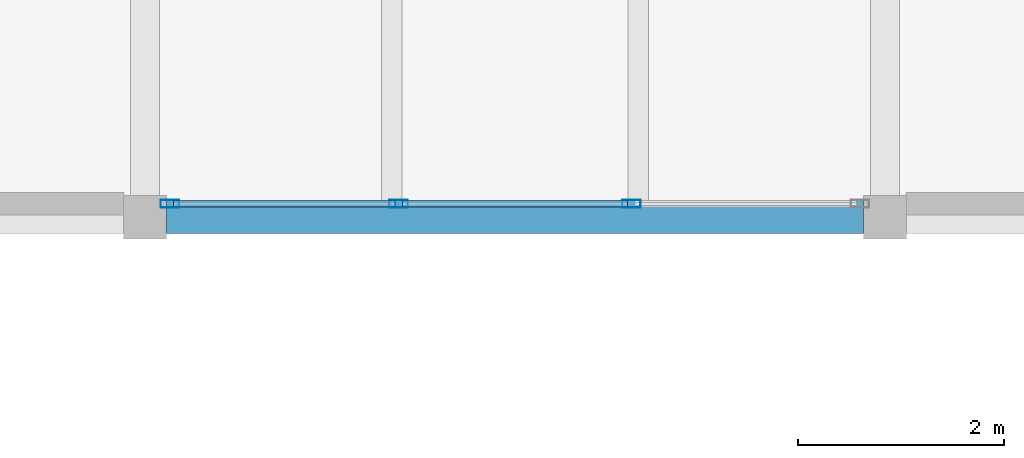
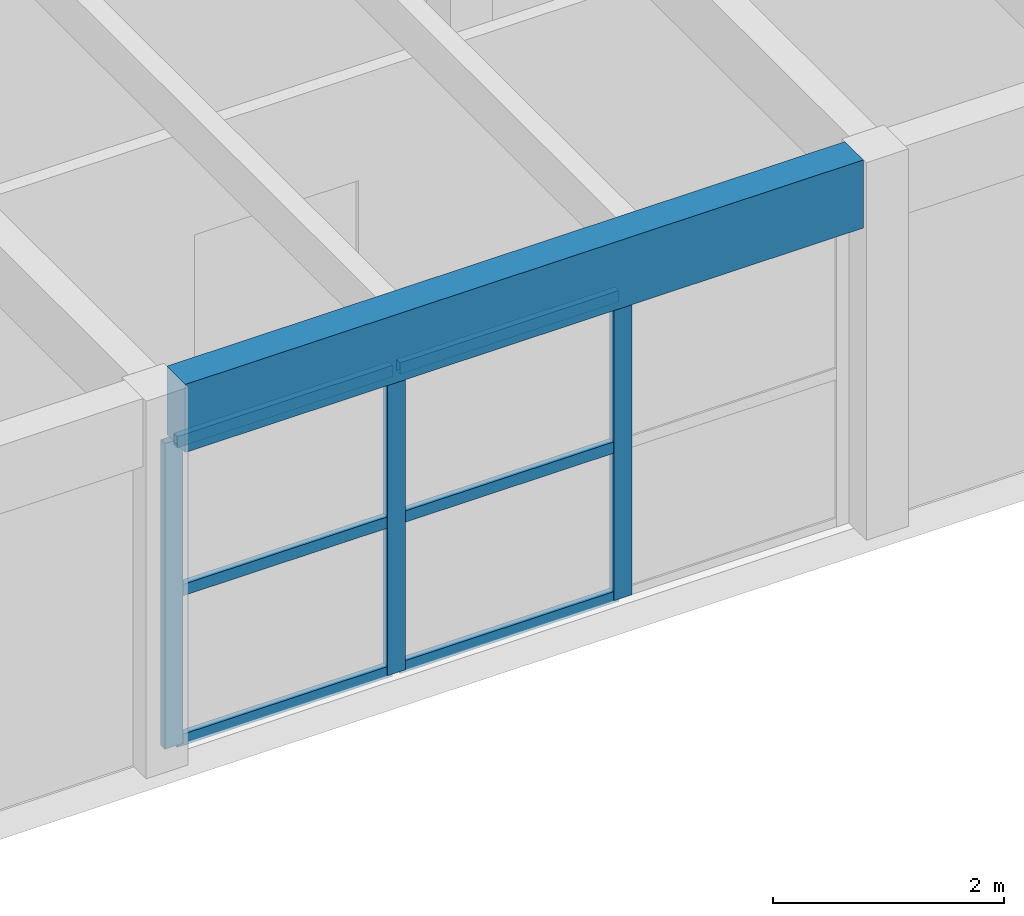
# One storey, part 21 of 68: 9 members, 1 beam, 1 element without a shape of its own.
"""IFC4 building model written with IfcOpenShell, lengths in metres."""

from ifc_helpers import new_model, si_unit, direction, frame, origin, origin_2d, place, context, subcontext, project, spatial, rectangle, hollow_rectangle, extrude, material, material_profile, profile_set, type_object, element, aggregate, save


model = new_model("IFC4")

# Units and contexts
model_context = context("Model", 3, precision=1e-05, world=origin(), true_north=direction((0.0, 1.0)))
body_context = subcontext(model_context, "Body", "Model", "MODEL_VIEW")
ifc_project = project(units=[si_unit("LENGTHUNIT", "METRE"), si_unit("AREAUNIT", "SQUARE_METRE"), si_unit("VOLUMEUNIT", "CUBIC_METRE"), si_unit("PLANEANGLEUNIT", "RADIAN"), si_unit("MASSUNIT", "GRAM", prefix="KILO")], contexts=[model_context])

# Site, building, storey
site_placement = place(None, origin())
site = spatial("IfcSite", under=ifc_project, at=site_placement, CompositionType="ELEMENT")
building_placement = place(site_placement, origin())
building = spatial("IfcBuilding", under=site, at=building_placement, Name="Bramvelor Terrace Health Centre", CompositionType="ELEMENT")
storey_placement = place(building_placement, frame((0.0, 0.0, 9.300048828125)))
storey = spatial("IfcBuildingStorey", under=building, at=storey_placement, Name="L03", CompositionType="ELEMENT", Elevation=9.300048828125)

# Beam
ifc_material_1 = material(Name="Glulam GL28h", Category="wood")
ifc_material_profile_1 = material_profile(ifc_material_1, rectangle(XDim=0.320068359375, YDim=0.719970703125, at=origin_2d()), Name="GL 320x720")
ifc_profile_set_1 = profile_set([ifc_material_profile_1], Name="Glulam GL28h")
beam_type = type_object("IfcBeamType", Name="BM-GL-G720", PredefinedType="BEAM", material=ifc_profile_set_1)
beam_placement = place(storey_placement, frame((122.610107421875, 50.39990234375, 3.6298828125), z_axis=(1.0, 0.0, 0.0), x_axis=(0.0, 1.0, 0.0)))
element("IfcBeam", 1, at=beam_placement, inside=storey, type_object=beam_type, Name="L03 Floor Girder", PredefinedType="BEAM", context=body_context, shape_type="SweptSolid", body=[
    extrude(rectangle(XDim=0.320068359375, YDim=0.719970703125, at=origin_2d()), origin(), (0.0, 0.0, 1.0), 6.77978515625),
])

# Curtain wall, members
ifc_material_2 = material(Name="Anodized aluminium and double low-E glass", Category="aluminium")
curtain_wall_type = type_object("IfcCurtainWallType", Name="CW-SYS-27", PredefinedType="NOTDEFINED", material=ifc_material_2)
curtain_wall_placement = place(storey_placement, origin())
curtain_wall = element("IfcCurtainWall", 2, at=curtain_wall_placement, inside=storey, type_object=curtain_wall_type, Name="L03 Unitized Curtain Wall 171", PredefinedType="NOTDEFINED")
ifc_material_3 = material(Name="Anodized aluminium 6063-T6", Category="aluminium")
ifc_material_profile_2 = material_profile(ifc_material_3, hollow_rectangle(XDim=0.074951171875, YDim=0.179931640625, WallThickness=0.00341796875, at=origin_2d()), Name="ALU-MUL 75x180x3.5")
ifc_profile_set_2 = profile_set([ifc_material_profile_2], Name="Anodized aluminium 6063-T6")
member_type_1 = type_object("IfcMemberType", Name="CW-MUL-65x180", PredefinedType="MULLION", material=ifc_profile_set_2)
member_1_placement = place(storey_placement, frame((127.131591796875, 50.530029296875, 0.0), z_axis=(0.0, 0.0, 1.0), x_axis=(0.0, -1.0, 0.0)))
member_1 = element("IfcMember", 3, at=member_1_placement, type_object=member_type_1, Name="CW-27 mullion 2", PredefinedType="MULLION", context=body_context, shape_type="SweptSolid", body=[
    extrude(hollow_rectangle(XDim=0.074951171875, YDim=0.179931640625, WallThickness=0.00341796875, at=origin_2d()), origin(), (0.0, 0.0, 1.0), 3.22998046875),
])
member_2_placement = place(storey_placement, frame((124.868408203125, 50.530029296875, 0.0), z_axis=(0.0, 0.0, 1.0), x_axis=(0.0, -1.0, 0.0)))
member_2 = element("IfcMember", 4, at=member_2_placement, type_object=member_type_1, Name="CW-27 mullion 3", PredefinedType="MULLION", context=body_context, shape_type="SweptSolid", body=[
    extrude(hollow_rectangle(XDim=0.074951171875, YDim=0.179931640625, WallThickness=0.00341796875, at=origin_2d()), origin(), (0.0, 0.0, 1.0), 3.22998046875),
])
member_3_placement = place(storey_placement, frame((122.642578125, 50.530029296875, 0.0), z_axis=(0.0, 0.0, 1.0), x_axis=(0.0, -1.0, 0.0)))
member_3 = element("IfcMember", 5, at=member_3_placement, type_object=member_type_1, Name="CW-27 mullion 4", PredefinedType="MULLION", context=body_context, shape_type="SweptSolid", body=[
    extrude(hollow_rectangle(XDim=0.074951171875, YDim=0.179931640625, WallThickness=0.00341796875, at=origin_2d()), origin(), (0.0, 0.0, 1.0), 3.22998046875),
])
ifc_material_4 = material(Name="Anodized aluminium 6063-T6", Category="aluminium")
ifc_material_profile_3 = material_profile(ifc_material_4, hollow_rectangle(XDim=0.06494140625, YDim=0.1201171875, WallThickness=0.0029296875, at=origin_2d()), Name="ALU-TRN 65x120x3.0")
ifc_profile_set_3 = profile_set([ifc_material_profile_3], Name="Anodized aluminium 6063-T6")
member_type_2 = type_object("IfcMemberType", Name="CW-TRN-65x150", PredefinedType="USERDEFINED", material=ifc_profile_set_3)
member_4_placement = place(storey_placement, frame((127.09423828125, 50.530029296875, 0.032470703125), z_axis=(-1.0, 0.0, 0.0), x_axis=(0.0, -1.0, 0.0)))
member_4 = element("IfcMember", 6, at=member_4_placement, type_object=member_type_2, Name="CW-27 transom 2.1", ObjectType="TRANSOM", PredefinedType="USERDEFINED", context=body_context, shape_type="SweptSolid", body=[
    extrude(hollow_rectangle(XDim=0.06494140625, YDim=0.1201171875, WallThickness=0.0029296875, at=origin_2d()), origin(), (0.0, 0.0, 1.0), 2.1884765625),
])
member_5_placement = place(storey_placement, frame((127.09423828125, 50.530029296875, 1.614990234375), z_axis=(-1.0, 0.0, 0.0), x_axis=(0.0, -1.0, 0.0)))
member_5 = element("IfcMember", 7, at=member_5_placement, type_object=member_type_2, Name="CW-27 transom 2.2", ObjectType="TRANSOM", PredefinedType="USERDEFINED", context=body_context, shape_type="SweptSolid", body=[
    extrude(hollow_rectangle(XDim=0.06494140625, YDim=0.1201171875, WallThickness=0.0029296875, at=origin_2d()), origin(), (0.0, 0.0, 1.0), 2.1884765625),
])
member_6_placement = place(storey_placement, frame((127.09423828125, 50.530029296875, 3.197509765625), z_axis=(-1.0, 0.0, 0.0), x_axis=(0.0, -1.0, 0.0)))
member_6 = element("IfcMember", 8, at=member_6_placement, type_object=member_type_2, Name="CW-27 transom 2.3", ObjectType="TRANSOM", PredefinedType="USERDEFINED", context=body_context, shape_type="SweptSolid", body=[
    extrude(hollow_rectangle(XDim=0.06494140625, YDim=0.1201171875, WallThickness=0.0029296875, at=origin_2d()), origin(), (0.0, 0.0, 1.0), 2.1884765625),
])
member_7_placement = place(storey_placement, frame((124.830810546875, 50.530029296875, 0.032470703125), z_axis=(-1.0, 0.0, 0.0), x_axis=(0.0, -1.0, 0.0)))
member_7 = element("IfcMember", 9, at=member_7_placement, type_object=member_type_2, Name="CW-27 transom 3.1", ObjectType="TRANSOM", PredefinedType="USERDEFINED", context=body_context, shape_type="SweptSolid", body=[
    extrude(hollow_rectangle(XDim=0.06494140625, YDim=0.1201171875, WallThickness=0.0029296875, at=origin_2d()), origin(), (0.0, 0.0, 1.0), 2.15087890625),
])
member_8_placement = place(storey_placement, frame((124.830810546875, 50.530029296875, 1.614990234375), z_axis=(-1.0, 0.0, 0.0), x_axis=(0.0, -1.0, 0.0)))
member_8 = element("IfcMember", 10, at=member_8_placement, type_object=member_type_2, Name="CW-27 transom 3.2", ObjectType="TRANSOM", PredefinedType="USERDEFINED", context=body_context, shape_type="SweptSolid", body=[
    extrude(hollow_rectangle(XDim=0.06494140625, YDim=0.1201171875, WallThickness=0.0029296875, at=origin_2d()), origin(), (0.0, 0.0, 1.0), 2.15087890625),
])
member_9_placement = place(storey_placement, frame((124.830810546875, 50.530029296875, 3.197509765625), z_axis=(-1.0, 0.0, 0.0), x_axis=(0.0, -1.0, 0.0)))
member_9 = element("IfcMember", 11, at=member_9_placement, type_object=member_type_2, Name="CW-27 transom 3.3", ObjectType="TRANSOM", PredefinedType="USERDEFINED", context=body_context, shape_type="SweptSolid", body=[
    extrude(hollow_rectangle(XDim=0.06494140625, YDim=0.1201171875, WallThickness=0.0029296875, at=origin_2d()), origin(), (0.0, 0.0, 1.0), 2.15087890625),
])
aggregate(curtain_wall, [member_1, member_2, member_3, member_4, member_5, member_6, member_7, member_8, member_9])

save(model, "model.ifc")
